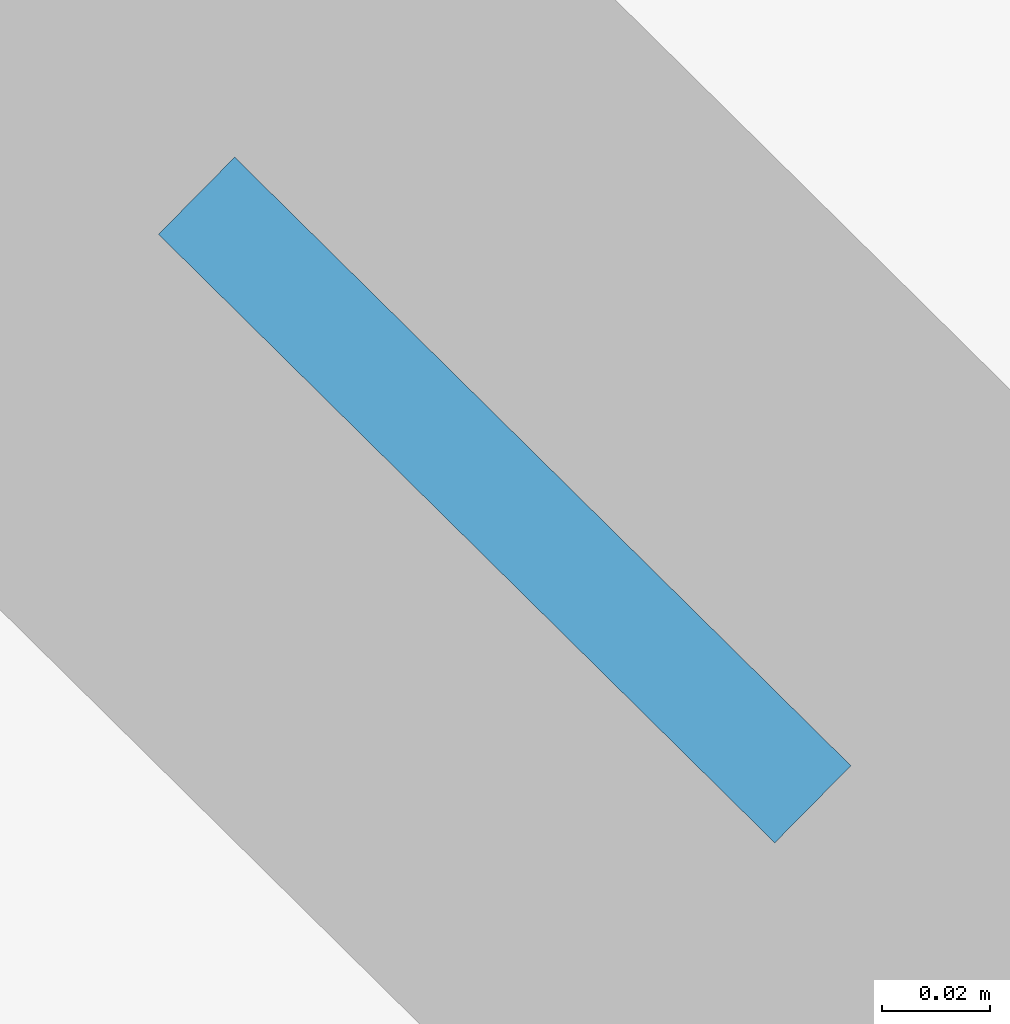
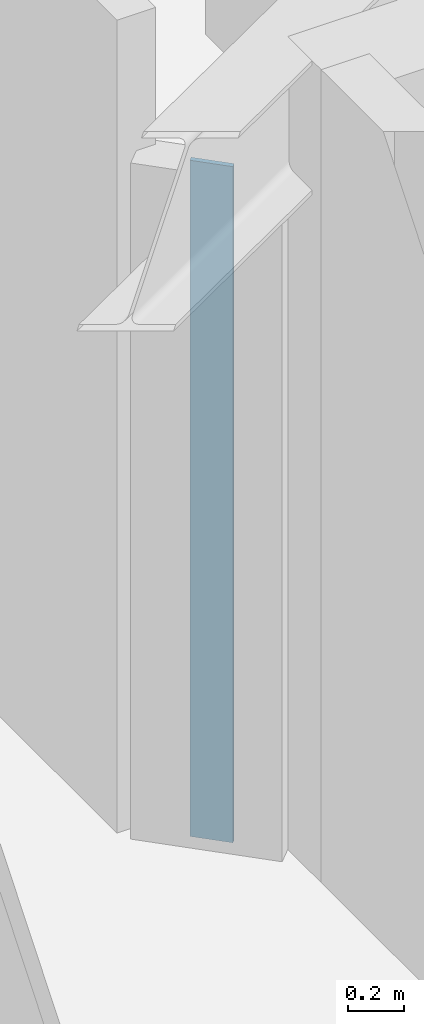
# One storey, part 3 of 9: 1 plate.
"""IFC4 building model written with IfcOpenShell, lengths in metres."""

from ifc_helpers import new_model, si_unit, direction, frame, origin, origin_2d, place, context, subcontext, project, spatial, rectangle, extrude, material, layer, layer_set, type_object, element, save


model = new_model("IFC4")

# Units and contexts
model_context = context("Model", 3, precision=1e-05, world=origin(), true_north=direction((0.0, 1.0)))
body_context = subcontext(model_context, "Body", "Model", "MODEL_VIEW")
ifc_project = project(units=[si_unit("LENGTHUNIT", "METRE"), si_unit("AREAUNIT", "SQUARE_METRE"), si_unit("VOLUMEUNIT", "CUBIC_METRE"), si_unit("PLANEANGLEUNIT", "RADIAN"), si_unit("MASSUNIT", "GRAM", prefix="KILO")], contexts=[model_context])

# Site, building, storey
site_placement = place(None, origin())
site = spatial("IfcSite", under=ifc_project, at=site_placement, CompositionType="ELEMENT")
building_placement = place(site_placement, origin())
building = spatial("IfcBuilding", under=site, at=building_placement, Name="Miruveldt Soraemaru", CompositionType="ELEMENT")
storey_placement = place(building_placement, frame((0.0, 0.0, 263.550048828125)))
storey = spatial("IfcBuildingStorey", under=building, at=storey_placement, Name="L72", CompositionType="ELEMENT", Elevation=263.550048828125)

# Plate
ifc_material = material(Name="Anodised aluminium EN AW-6063 T6", Category="aluminium")
ifc_layer = layer(ifc_material, 0.02001953125, Name="Anodised aluminium EN AW-6063 T6", Category="aluminium")
ifc_layer_set = layer_set([ifc_layer], Name="Anodised aluminium EN AW-6063 T6")
plate_type = type_object("IfcPlateType", Name="PLT-PART-TRIM", PredefinedType="SHEET", material=ifc_layer_set)
plate_placement = place(storey_placement, frame((35.14990234375, 52.857421875, 0.0), z_axis=(0.0, 0.0, 1.0), x_axis=(0.711535677209, -0.702649969799, 0.0)))
element("IfcPlate", 1, at=plate_placement, inside=storey, type_object=plate_type, Name="L72 Partition Step Corner Trim Plate 001", PredefinedType="SHEET", context=body_context, shape_type="SweptSolid", body=[
    extrude(rectangle(XDim=0.159912109375, YDim=0.02001953125, at=origin_2d()), origin(), (0.0, 0.0, 1.0), 2.965087890625),
])

save(model, "model.ifc")
